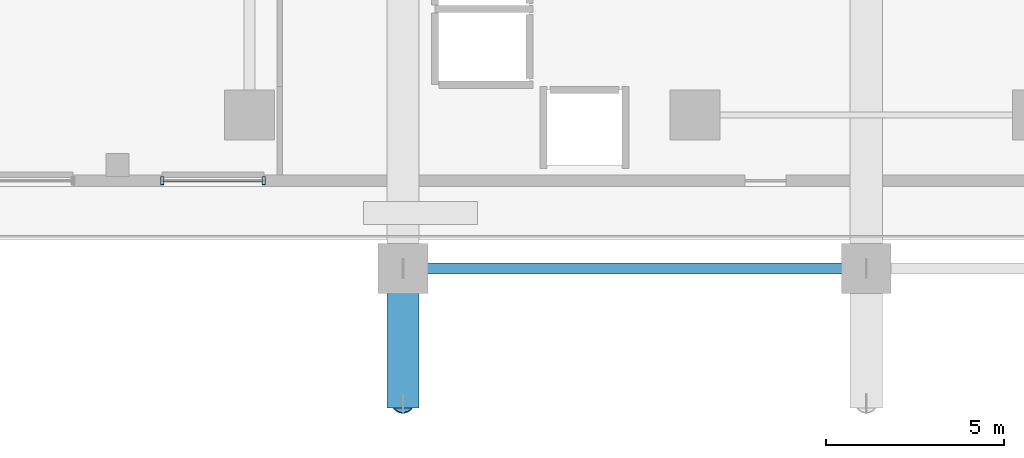
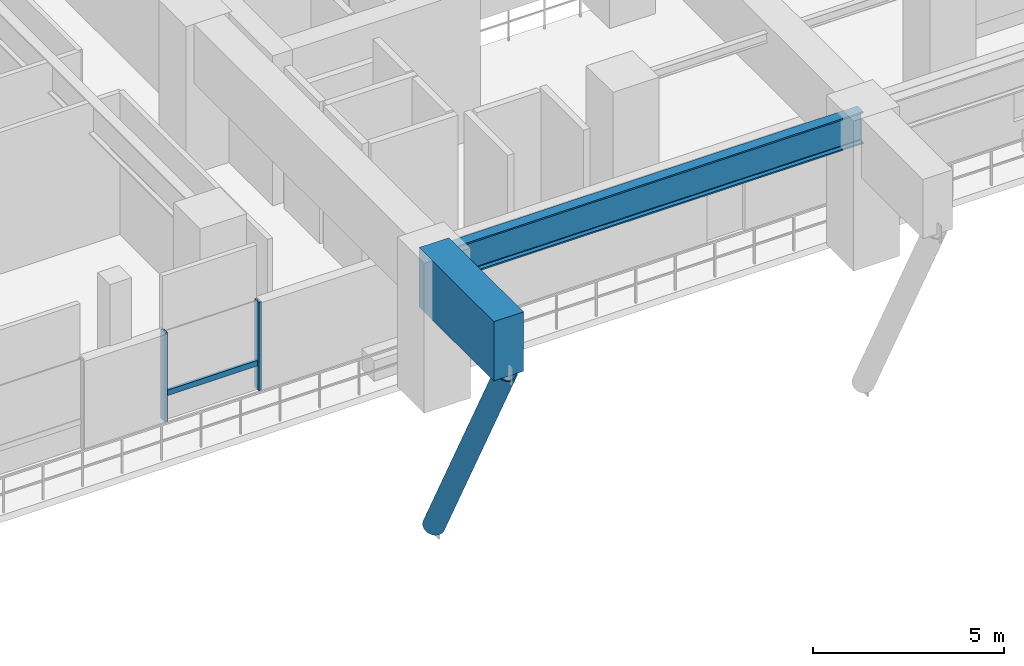
# One storey, part 8 of 25: 4 members, 2 beams, 1 element without a shape of its own.
"""IFC4 building model written with IfcOpenShell, lengths in metres."""

from ifc_helpers import new_model, si_unit, direction, frame, origin, origin_2d, place, context, subcontext, project, spatial, rectangle, hollow_rectangle, hollow_circle, i_section, extrude, material, material_profile, profile_set, type_object, element, aggregate, save


model = new_model("IFC4")

# Units and contexts
model_context = context("Model", 3, precision=1e-05, world=origin(), true_north=direction((0.0, 1.0)))
body_context = subcontext(model_context, "Body", "Model", "MODEL_VIEW")
ifc_project = project(units=[si_unit("LENGTHUNIT", "METRE"), si_unit("AREAUNIT", "SQUARE_METRE"), si_unit("VOLUMEUNIT", "CUBIC_METRE"), si_unit("PLANEANGLEUNIT", "RADIAN"), si_unit("MASSUNIT", "GRAM", prefix="KILO")], contexts=[model_context])

# Site, building, storey
site_placement = place(None, origin())
site = spatial("IfcSite", under=ifc_project, at=site_placement, CompositionType="ELEMENT")
building_placement = place(site_placement, origin())
building = spatial("IfcBuilding", under=site, at=building_placement, Name="Thornwick Lancets Civic Towers", CompositionType="ELEMENT")
storey_placement = place(building_placement, frame((0.0, 0.0, 23.10009765625)))
storey = spatial("IfcBuildingStorey", under=building, at=storey_placement, Name="L05", CompositionType="ELEMENT", Elevation=23.10009765625)

# Beams
ifc_material_1 = material(Name="Steel S460M", Category="steel")
ifc_material_profile_1 = material_profile(ifc_material_1, i_section(OverallWidth=0.305419921875, OverallDepth=1.02587890625, WebThickness=0.02685546875, FlangeThickness=0.0458984375, FilletRadius=0.030029296875, at=origin_2d()), Name="UKB 1016x305x437")
ifc_profile_set_1 = profile_set([ifc_material_profile_1], Name="Steel S460M")
beam_type_1 = type_object("IfcBeamType", Name="BM_TR_1016_437", PredefinedType="BEAM", material=ifc_profile_set_1)
beam_1_placement = place(storey_placement, frame((88.419921875, 9.699951171875, 4.046875), z_axis=(-1.0, 0.0, 0.0), x_axis=(0.0, -1.0, 0.0)))
element("IfcBeam", 1, at=beam_1_placement, inside=storey, type_object=beam_type_1, Name="BM-SPINE-L05-B-10-11", PredefinedType="BEAM", context=body_context, shape_type="SweptSolid", body=[
    extrude(i_section(OverallWidth=0.305419921875, OverallDepth=1.02587890625, WebThickness=0.02685546875, FlangeThickness=0.0458984375, FilletRadius=0.030029296875, at=origin_2d()), origin(), (0.0, 0.0, 1.0), 12.919921875),
])
ifc_material_2 = material(Name="Concrete C60/75", Category="concrete")
ifc_material_profile_2 = material_profile(ifc_material_2, rectangle(XDim=0.89990234375, YDim=1.89990234375, at=origin_2d()), Name="RC 900x1900")
ifc_profile_set_2 = profile_set([ifc_material_profile_2], Name="Concrete C60/75")
beam_type_2 = type_object("IfcBeamType", Name="BM_TR_RC1900", PredefinedType="BEAM", material=ifc_profile_set_2)
beam_2_placement = place(storey_placement, frame((75.5, 9.699951171875, 3.849853515625), z_axis=(0.0, -1.0, 0.0), x_axis=(1.0, 0.0, 0.0)))
element("IfcBeam", 2, at=beam_2_placement, inside=storey, type_object=beam_type_2, Name="TG-CANT-L06-B12", PredefinedType="BEAM", context=body_context, shape_type="SweptSolid", body=[
    extrude(rectangle(XDim=0.89990234375, YDim=1.89990234375, at=origin_2d()), origin(), (0.0, 0.0, 1.0), 3.919921875),
])

# Curtain wall, members
ifc_material_3 = material(Name="Terracotta-trimmed cascading podium ribbon curtain wall", Category="masonry")
curtain_wall_type = type_object("IfcCurtainWallType", Name="CW_SYS_02", PredefinedType="NOTDEFINED", material=ifc_material_3)
curtain_wall_placement = place(storey_placement, origin())
curtain_wall = element("IfcCurtainWall", 3, at=curtain_wall_placement, inside=storey, type_object=curtain_wall_type, Name="L05 Curtain Wall CW-L05-POD-SC-S3", PredefinedType="NOTDEFINED")
ifc_material_4 = material(Name="Thermally broken bronze aluminium S355", Category="steel")
ifc_material_profile_3 = material_profile(ifc_material_4, hollow_rectangle(XDim=0.090087890625, YDim=0.219970703125, WallThickness=0.00634765625, at=origin_2d()), Name="RHS 220x90x6.3")
ifc_profile_set_3 = profile_set([ifc_material_profile_3], Name="Thermally broken bronze aluminium S355")
member_type_1 = type_object("IfcMemberType", Name="CW_MUL_220", PredefinedType="MULLION", material=ifc_profile_set_3)
member_1_placement = place(storey_placement, frame((68.75, 12.159912109375, 0.0), z_axis=(0.0, 0.0, 1.0), x_axis=(1.0, 0.0, 0.0)))
member_1 = element("IfcMember", 4, at=member_1_placement, type_object=member_type_1, Name="CW-L05-POD-SC-S3 Mullion 0", PredefinedType="MULLION", context=body_context, shape_type="SweptSolid", body=[
    extrude(hollow_rectangle(XDim=0.090087890625, YDim=0.219970703125, WallThickness=0.00634765625, at=origin_2d()), origin(), (0.0, 0.0, 1.0), 2.83984375),
])
member_2_placement = place(storey_placement, frame((71.60009765625, 12.159912109375, 0.0), z_axis=(0.0, 0.0, 1.0), x_axis=(1.0, 0.0, 0.0)))
member_2 = element("IfcMember", 5, at=member_2_placement, type_object=member_type_1, Name="CW-L05-POD-SC-S3 Mullion 1", PredefinedType="MULLION", context=body_context, shape_type="SweptSolid", body=[
    extrude(hollow_rectangle(XDim=0.090087890625, YDim=0.219970703125, WallThickness=0.00634765625, at=origin_2d()), origin(), (0.0, 0.0, 1.0), 2.83984375),
])
ifc_material_profile_4 = material_profile(ifc_material_4, hollow_rectangle(XDim=0.074951171875, YDim=0.179931640625, WallThickness=0.006103515625, at=origin_2d()), Name="RHS 180x75x6")
ifc_profile_set_4 = profile_set([ifc_material_profile_4], Name="Thermally broken bronze aluminium S355")
member_type_2 = type_object("IfcMemberType", Name="CW_TRN_180", PredefinedType="USERDEFINED", material=ifc_profile_set_4)
member_3_placement = place(storey_placement, frame((68.77001953125, 12.159912109375, 0.849853515625), z_axis=(1.0, 0.0, 0.0), x_axis=(0.0, 1.0, 0.0)))
member_3 = element("IfcMember", 6, at=member_3_placement, type_object=member_type_2, Name="CW-L05-POD-SC-S3 Transom 0", ObjectType="TRANSOM", PredefinedType="USERDEFINED", context=body_context, shape_type="SweptSolid", body=[
    extrude(hollow_rectangle(XDim=0.074951171875, YDim=0.179931640625, WallThickness=0.006103515625, at=origin_2d()), origin(), (0.0, 0.0, 1.0), 2.81005859375),
])
aggregate(curtain_wall, [member_1, member_2, member_3])

# Member
ifc_material_profile_5 = material_profile(ifc_material_1, hollow_circle(Radius=0.304931640625, WallThickness=0.030029296875, at=origin_2d()), Name="CHS 610x30")
ifc_profile_set_5 = profile_set([ifc_material_profile_5], Name="Steel S460M")
member_type_3 = type_object("IfcMemberType", Name="MEM_STRUT_CHS610", PredefinedType="STRUT", material=ifc_profile_set_5)
member_4_placement = place(storey_placement, frame((75.5, 9.699951171875, -4.25), z_axis=(0.0, -0.465247425434, 0.885180678239), x_axis=(1.0, 0.0, 0.0)))
element("IfcMember", 7, at=member_4_placement, inside=storey, type_object=member_type_3, Name="L06 Jenga Transfer Raking Strut B12", PredefinedType="STRUT", context=body_context, shape_type="SweptSolid", body=[
    extrude(hollow_circle(Radius=0.304931640625, WallThickness=0.030029296875, at=origin_2d()), origin(), (0.0, 0.0, 1.0), 8.167724609375),
])

save(model, "model.ifc")
